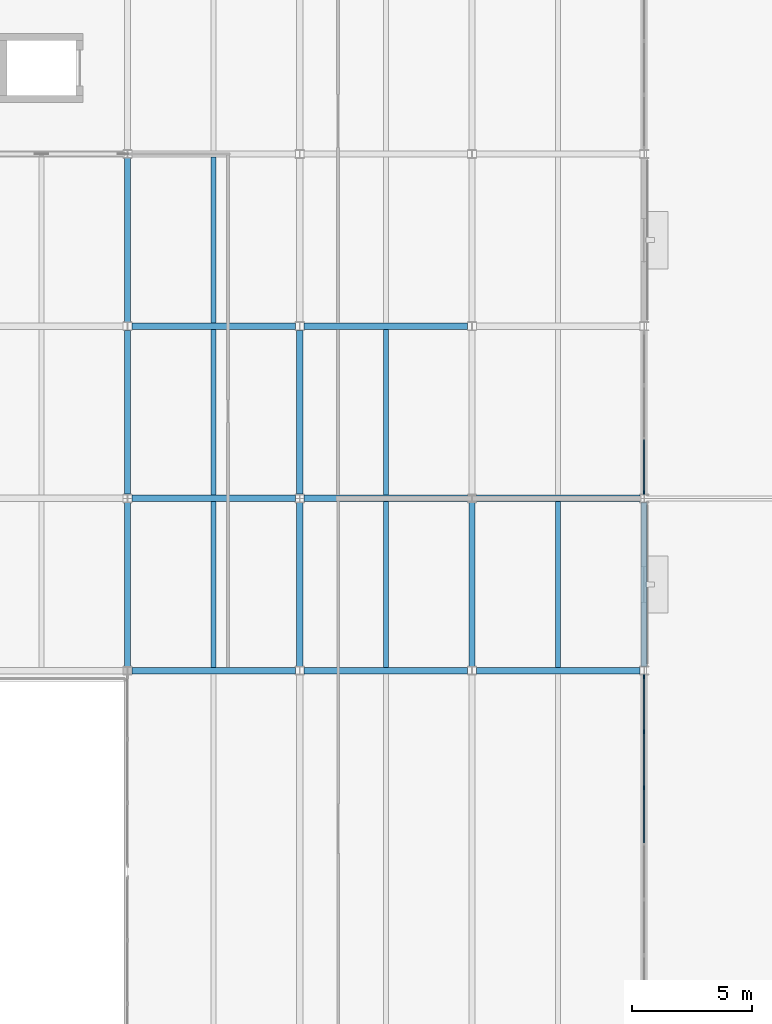
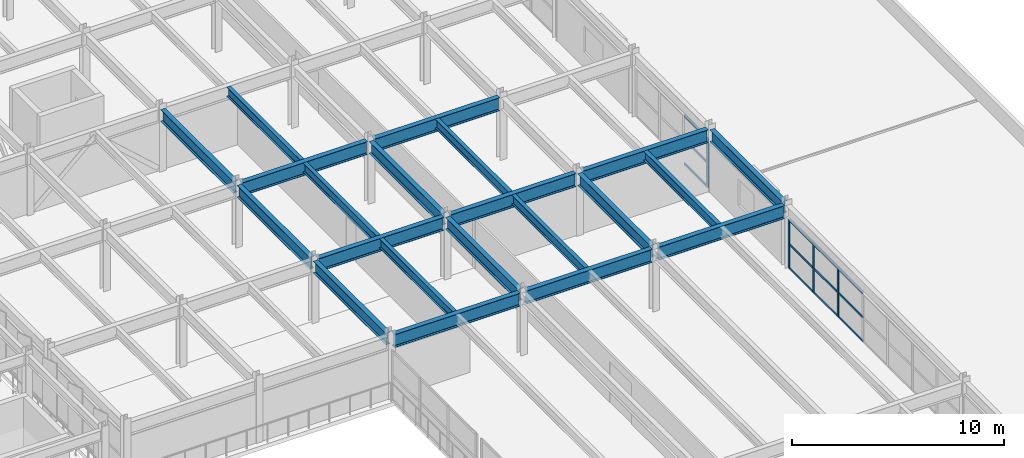
# One storey, part 33 of 80: 21 beams, 16 members, 2 elements without a shape of their own.
"""IFC4 building model written with IfcOpenShell, lengths in metres."""

from ifc_helpers import new_model, si_unit, direction, frame, origin, origin_2d, place, context, subcontext, project, spatial, rectangle, i_section, extrude, material, material_profile, profile_set, type_object, element, aggregate, save


model = new_model("IFC4")

# Units and contexts
model_context = context("Model", 3, precision=1e-05, world=origin(), true_north=direction((0.0, 1.0)))
body_context = subcontext(model_context, "Body", "Model", "MODEL_VIEW")
ifc_project = project(units=[si_unit("LENGTHUNIT", "METRE"), si_unit("AREAUNIT", "SQUARE_METRE"), si_unit("VOLUMEUNIT", "CUBIC_METRE"), si_unit("PLANEANGLEUNIT", "RADIAN"), si_unit("MASSUNIT", "GRAM", prefix="KILO")], contexts=[model_context])

# Site, building, storey
site_placement = place(None, origin())
site = spatial("IfcSite", under=ifc_project, at=site_placement, CompositionType="ELEMENT")
building_placement = place(site_placement, origin())
building = spatial("IfcBuilding", under=site, at=building_placement, Name="Vaelcorin Mobility Hub", CompositionType="ELEMENT")
storey_placement = place(building_placement, frame((0.0, 0.0, 9.300048828125)))
storey = spatial("IfcBuildingStorey", under=building, at=storey_placement, Name="L02", CompositionType="ELEMENT", Elevation=9.300048828125)

# Beams
ifc_material_1 = material(Name="Steel ASTM A992 Grade 50", Category="steel")
ifc_material_profile_1 = material_profile(ifc_material_1, i_section(OverallWidth=0.2099609375, OverallDepth=0.532958984375, WebThickness=0.01025390625, FlangeThickness=0.015625, FilletRadius=0.013916015625, at=origin_2d()), Name="W21X62")
ifc_profile_set_1 = profile_set([ifc_material_profile_1], Name="Steel ASTM A992 Grade 50")
beam_type_1 = type_object("IfcBeamType", Name="BM-W21X62", PredefinedType="JOIST", material=ifc_profile_set_1)
for number, where, z_axis, x_axis, name in (
    (1, (171.60009765625, 76.931884765625, 3.333984375), (0.0, 1.0, 0.0), (-1.0, 0.0, 0.0), "L02 Beam V5-L02-J-03-09-1"),
    (2, (171.60009765625, 84.132080078125, 3.333984375), (0.0, 1.0, 0.0), (-1.0, 0.0, 0.0), "L02 Beam V5-L02-J-03-10-1"),
    (3, (171.60009765625, 91.33203125, 3.333984375), (0.0, 1.0, 0.0), (-1.0, 0.0, 0.0), "L02 Beam V5-L02-J-03-11-1"),
    (4, (178.800048828125, 76.931884765625, 3.333984375), (0.0, 1.0, 0.0), (-1.0, 0.0, 0.0), "L02 Beam V5-L02-J-04-09-1"),
    (5, (178.800048828125, 84.132080078125, 3.333984375), (0.0, 1.0, 0.0), (-1.0, 0.0, 0.0), "L02 Beam V5-L02-J-04-10-1"),
    (6, (186.0, 76.931884765625, 3.333984375), (0.0, 1.0, 0.0), (-1.0, 0.0, 0.0), "L02 Beam V5-L02-J-05-09-1"),
):
    element("IfcBeam", number, at=place(storey_placement, frame(where, z_axis=z_axis, x_axis=x_axis)), inside=storey, type_object=beam_type_1, Name=name, PredefinedType="JOIST", context=body_context, shape_type="SweptSolid", body=[
        extrude(i_section(OverallWidth=0.2099609375, OverallDepth=0.532958984375, WebThickness=0.01025390625, FlangeThickness=0.015625, FilletRadius=0.013916015625, at=origin_2d()), origin(), (0.0, 0.0, 1.0), 6.93603515625),
    ])
ifc_material_profile_2 = material_profile(ifc_material_1, i_section(OverallWidth=0.25390625, OverallDepth=0.68310546875, WebThickness=0.012451171875, FlangeThickness=0.018798828125, FilletRadius=0.01611328125, at=origin_2d()), Name="W27X94")
ifc_profile_set_2 = profile_set([ifc_material_profile_2], Name="Steel ASTM A992 Grade 50")
beam_type_2 = type_object("IfcBeamType", Name="BM-W27X94", PredefinedType="BEAM", material=ifc_profile_set_2)
for number, where, z_axis, x_axis, name in (
    (7, (168.0, 76.97607421875, 3.258056640625), (0.0, 1.0, 0.0), (-1.0, 0.0, 0.0), "L02 Beam V5-L02-GY-03-09"),
    (8, (168.0, 84.176025390625, 3.258056640625), (0.0, 1.0, 0.0), (-1.0, 0.0, 0.0), "L02 Beam V5-L02-GY-03-10"),
):
    element("IfcBeam", number, at=place(storey_placement, frame(where, z_axis=z_axis, x_axis=x_axis)), inside=storey, type_object=beam_type_2, Name=name, PredefinedType="BEAM", context=body_context, shape_type="SweptSolid", body=[
        extrude(i_section(OverallWidth=0.25390625, OverallDepth=0.68310546875, WebThickness=0.012451171875, FlangeThickness=0.018798828125, FilletRadius=0.01611328125, at=origin_2d()), origin(), (0.0, 0.0, 1.0), 6.847900390625),
    ])
beam_1_placement = place(storey_placement, frame((168.0, 91.3759765625, 3.258056640625), z_axis=(0.0, 1.0, 0.0), x_axis=(-1.0, 0.0, 0.0)))
element("IfcBeam", 9, at=beam_1_placement, inside=storey, type_object=beam_type_2, Name="L02 Beam V5-L02-GY-03-11", PredefinedType="BEAM", context=body_context, shape_type="SweptSolid", body=[
    extrude(i_section(OverallWidth=0.25390625, OverallDepth=0.68310546875, WebThickness=0.012451171875, FlangeThickness=0.018798828125, FilletRadius=0.01611328125, at=origin_2d()), origin(), (0.0, 0.0, 1.0), 6.84814453125),
])
for number, where, z_axis, x_axis, name in (
    (10, (175.199951171875, 76.97607421875, 3.258056640625), (0.0, 1.0, 0.0), (-1.0, 0.0, 0.0), "L02 Beam V5-L02-GY-04-09"),
    (11, (175.199951171875, 84.176025390625, 3.258056640625), (0.0, 1.0, 0.0), (-1.0, 0.0, 0.0), "L02 Beam V5-L02-GY-04-10"),
    (12, (182.39990234375, 76.97607421875, 3.258056640625), (0.0, 1.0, 0.0), (-1.0, 0.0, 0.0), "L02 Beam V5-L02-GY-05-09"),
    (13, (189.60009765625, 76.97607421875, 3.258056640625), (0.0, 1.0, 0.0), (-1.0, 0.0, 0.0), "L02 Beam V5-L02-GY-06-09"),
):
    element("IfcBeam", number, at=place(storey_placement, frame(where, z_axis=z_axis, x_axis=x_axis)), inside=storey, type_object=beam_type_2, Name=name, PredefinedType="BEAM", context=body_context, shape_type="SweptSolid", body=[
        extrude(i_section(OverallWidth=0.25390625, OverallDepth=0.68310546875, WebThickness=0.012451171875, FlangeThickness=0.018798828125, FilletRadius=0.01611328125, at=origin_2d()), origin(), (0.0, 0.0, 1.0), 6.847900390625),
    ])
ifc_material_profile_3 = material_profile(ifc_material_1, i_section(OverallWidth=0.26708984375, OverallDepth=0.757080078125, WebThickness=0.013916015625, FlangeThickness=0.019287109375, FilletRadius=0.01708984375, at=origin_2d()), Name="W30X108")
ifc_profile_set_3 = profile_set([ifc_material_profile_3], Name="Steel ASTM A992 Grade 50")
beam_type_3 = type_object("IfcBeamType", Name="BM-W30X108", PredefinedType="BEAM", material=ifc_profile_set_3)
beam_2_placement = place(storey_placement, frame((168.181884765625, 76.800048828125, 3.221923828125), z_axis=(1.0, 0.0, 0.0), x_axis=(0.0, 1.0, 0.0)))
element("IfcBeam", 14, at=beam_2_placement, inside=storey, type_object=beam_type_3, Name="L02 Beam V5-L02-GX-09-03", PredefinedType="BEAM", context=body_context, shape_type="SweptSolid", body=[
    extrude(i_section(OverallWidth=0.26708984375, OverallDepth=0.757080078125, WebThickness=0.013916015625, FlangeThickness=0.019287109375, FilletRadius=0.01708984375, at=origin_2d()), origin(), (0.0, 0.0, 1.0), 6.836181640625),
])
for number, where, z_axis, x_axis, name in (
    (15, (175.382080078125, 76.800048828125, 3.221923828125), (1.0, 0.0, 0.0), (0.0, 1.0, 0.0), "L02 Beam V5-L02-GX-09-04"),
    (16, (182.58203125, 76.800048828125, 3.221923828125), (1.0, 0.0, 0.0), (0.0, 1.0, 0.0), "L02 Beam V5-L02-GX-09-05"),
):
    element("IfcBeam", number, at=place(storey_placement, frame(where, z_axis=z_axis, x_axis=x_axis)), inside=storey, type_object=beam_type_3, Name=name, PredefinedType="BEAM", context=body_context, shape_type="SweptSolid", body=[
        extrude(i_section(OverallWidth=0.26708984375, OverallDepth=0.757080078125, WebThickness=0.013916015625, FlangeThickness=0.019287109375, FilletRadius=0.01708984375, at=origin_2d()), origin(), (0.0, 0.0, 1.0), 6.8359375),
    ])
beam_3_placement = place(storey_placement, frame((168.181884765625, 84.0, 3.221923828125), z_axis=(1.0, 0.0, 0.0), x_axis=(0.0, 1.0, 0.0)))
element("IfcBeam", 17, at=beam_3_placement, inside=storey, type_object=beam_type_3, Name="L02 Beam V5-L02-GX-10-03", PredefinedType="BEAM", context=body_context, shape_type="SweptSolid", body=[
    extrude(i_section(OverallWidth=0.26708984375, OverallDepth=0.757080078125, WebThickness=0.013916015625, FlangeThickness=0.019287109375, FilletRadius=0.01708984375, at=origin_2d()), origin(), (0.0, 0.0, 1.0), 6.836181640625),
])
for number, where, z_axis, x_axis, name in (
    (18, (175.382080078125, 84.0, 3.221923828125), (1.0, 0.0, 0.0), (0.0, 1.0, 0.0), "L02 Beam V5-L02-GX-10-04"),
    (19, (182.58203125, 84.0, 3.221923828125), (1.0, 0.0, 0.0), (0.0, 1.0, 0.0), "L02 Beam V5-L02-GX-10-05"),
):
    element("IfcBeam", number, at=place(storey_placement, frame(where, z_axis=z_axis, x_axis=x_axis)), inside=storey, type_object=beam_type_3, Name=name, PredefinedType="BEAM", context=body_context, shape_type="SweptSolid", body=[
        extrude(i_section(OverallWidth=0.26708984375, OverallDepth=0.757080078125, WebThickness=0.013916015625, FlangeThickness=0.019287109375, FilletRadius=0.01708984375, at=origin_2d()), origin(), (0.0, 0.0, 1.0), 6.8359375),
    ])
beam_4_placement = place(storey_placement, frame((168.181884765625, 91.199951171875, 3.221923828125), z_axis=(1.0, 0.0, 0.0), x_axis=(0.0, 1.0, 0.0)))
element("IfcBeam", 20, at=beam_4_placement, inside=storey, type_object=beam_type_3, Name="L02 Beam V5-L02-GX-11-03", PredefinedType="BEAM", context=body_context, shape_type="SweptSolid", body=[
    extrude(i_section(OverallWidth=0.26708984375, OverallDepth=0.757080078125, WebThickness=0.013916015625, FlangeThickness=0.019287109375, FilletRadius=0.01708984375, at=origin_2d()), origin(), (0.0, 0.0, 1.0), 6.836181640625),
])
beam_5_placement = place(storey_placement, frame((175.382080078125, 91.199951171875, 3.221923828125), z_axis=(1.0, 0.0, 0.0), x_axis=(0.0, 1.0, 0.0)))
element("IfcBeam", 21, at=beam_5_placement, inside=storey, type_object=beam_type_3, Name="L02 Beam V5-L02-GX-11-04", PredefinedType="BEAM", context=body_context, shape_type="SweptSolid", body=[
    extrude(i_section(OverallWidth=0.26708984375, OverallDepth=0.757080078125, WebThickness=0.013916015625, FlangeThickness=0.019287109375, FilletRadius=0.01708984375, at=origin_2d()), origin(), (0.0, 0.0, 1.0), 6.8359375),
])

# Curtain wall, members
ifc_material_2 = material(Name="Anodised aluminium 6063-T6", Category="aluminium")
curtain_wall_type = type_object("IfcCurtainWallType", Name="CW-MOB-A", PredefinedType="NOTDEFINED", material=ifc_material_2)
curtain_wall_1_placement = place(storey_placement, origin())
curtain_wall_1 = element("IfcCurtainWall", 22, at=curtain_wall_1_placement, inside=storey, type_object=curtain_wall_type, Name="L02 Curtain Wall CW-V5-L02-E-08", PredefinedType="NOTDEFINED")
ifc_material_profile_4 = material_profile(ifc_material_2, rectangle(XDim=0.06005859375, YDim=0.159912109375, at=origin_2d()), Name="ALU-M60X160")
ifc_profile_set_4 = profile_set([ifc_material_profile_4], Name="Anodised aluminium 6063-T6")
member_type_1 = type_object("IfcMemberType", Name="CW-MULL-160", PredefinedType="MULLION", material=ifc_profile_set_4)
member_1_placement = place(storey_placement, frame((189.60009765625, 76.550048828125, 0.0), z_axis=(0.0, 0.0, 1.0), x_axis=(1.0, 0.0, 0.0)))
member_1 = element("IfcMember", 23, at=member_1_placement, type_object=member_type_1, Name="CW7 mullion 1", PredefinedType="MULLION", context=body_context, shape_type="SweptSolid", body=[
    extrude(rectangle(XDim=0.06005859375, YDim=0.159912109375, at=origin_2d()), origin(), (0.0, 0.0, 1.0), 2.827880859375),
])
member_2_placement = place(storey_placement, frame((189.60009765625, 74.242919921875, 0.0), z_axis=(0.0, 0.0, 1.0), x_axis=(1.0, 0.0, 0.0)))
member_2 = element("IfcMember", 24, at=member_2_placement, type_object=member_type_1, Name="CW7 mullion 2", PredefinedType="MULLION", context=body_context, shape_type="SweptSolid", body=[
    extrude(rectangle(XDim=0.06005859375, YDim=0.159912109375, at=origin_2d()), origin(), (0.0, 0.0, 1.0), 2.827880859375),
])
member_3_placement = place(storey_placement, frame((189.60009765625, 71.90576171875, 0.0), z_axis=(0.0, 0.0, 1.0), x_axis=(1.0, 0.0, 0.0)))
member_3 = element("IfcMember", 25, at=member_3_placement, type_object=member_type_1, Name="CW7 mullion 3", PredefinedType="MULLION", context=body_context, shape_type="SweptSolid", body=[
    extrude(rectangle(XDim=0.06005859375, YDim=0.159912109375, at=origin_2d()), origin(), (0.0, 0.0, 1.0), 2.827880859375),
])

# Curtain wall, member
curtain_wall_2_placement = place(storey_placement, origin())
curtain_wall_2 = element("IfcCurtainWall", 26, at=curtain_wall_2_placement, inside=storey, type_object=curtain_wall_type, Name="L02 Curtain Wall CW-V5-L02-E-10", PredefinedType="NOTDEFINED")
member_4_placement = place(storey_placement, frame((189.60009765625, 84.25, 0.0), z_axis=(0.0, 0.0, 1.0), x_axis=(1.0, 0.0, 0.0)))
member_4 = element("IfcMember", 27, at=member_4_placement, type_object=member_type_1, Name="CW7 mullion 4", PredefinedType="MULLION", context=body_context, shape_type="SweptSolid", body=[
    extrude(rectangle(XDim=0.06005859375, YDim=0.159912109375, at=origin_2d()), origin(), (0.0, 0.0, 1.0), 2.827880859375),
])

# Member
ifc_material_profile_5 = material_profile(ifc_material_2, rectangle(XDim=0.06005859375, YDim=0.1201171875, at=origin_2d()), Name="ALU-T60X120")
ifc_profile_set_5 = profile_set([ifc_material_profile_5], Name="Anodised aluminium 6063-T6")
member_type_2 = type_object("IfcMemberType", Name="CW-TRAN-140", PredefinedType="USERDEFINED", material=ifc_profile_set_5)
member_5_placement = place(storey_placement, frame((189.60009765625, 76.52001953125, 0.030029296875), z_axis=(0.0, -1.0, 0.0), x_axis=(1.0, 0.0, 0.0)))
member_5 = element("IfcMember", 28, at=member_5_placement, type_object=member_type_2, Name="CW7 transom 1.1", ObjectType="TRANSOM", PredefinedType="USERDEFINED", context=body_context, shape_type="SweptSolid", body=[
    extrude(rectangle(XDim=0.06005859375, YDim=0.1201171875, at=origin_2d()), origin(), (0.0, 0.0, 1.0), 2.2470703125),
])

member_6_placement = place(storey_placement, frame((189.60009765625, 76.52001953125, 1.4140625), z_axis=(0.0, -1.0, 0.0), x_axis=(1.0, 0.0, 0.0)))
member_6 = element("IfcMember", 29, at=member_6_placement, type_object=member_type_2, Name="CW7 transom 1.2", ObjectType="TRANSOM", PredefinedType="USERDEFINED", context=body_context, shape_type="SweptSolid", body=[
    extrude(rectangle(XDim=0.06005859375, YDim=0.1201171875, at=origin_2d()), origin(), (0.0, 0.0, 1.0), 2.2470703125),
])

member_7_placement = place(storey_placement, frame((189.60009765625, 76.52001953125, 2.7978515625), z_axis=(0.0, -1.0, 0.0), x_axis=(1.0, 0.0, 0.0)))
member_7 = element("IfcMember", 30, at=member_7_placement, type_object=member_type_2, Name="CW7 transom 1.3", ObjectType="TRANSOM", PredefinedType="USERDEFINED", context=body_context, shape_type="SweptSolid", body=[
    extrude(rectangle(XDim=0.06005859375, YDim=0.1201171875, at=origin_2d()), origin(), (0.0, 0.0, 1.0), 2.2470703125),
])

member_8_placement = place(storey_placement, frame((189.60009765625, 74.212890625, 0.030029296875), z_axis=(0.0, -1.0, 0.0), x_axis=(1.0, 0.0, 0.0)))
member_8 = element("IfcMember", 31, at=member_8_placement, type_object=member_type_2, Name="CW7 transom 2.1", ObjectType="TRANSOM", PredefinedType="USERDEFINED", context=body_context, shape_type="SweptSolid", body=[
    extrude(rectangle(XDim=0.06005859375, YDim=0.1201171875, at=origin_2d()), origin(), (0.0, 0.0, 1.0), 2.277099609375),
])

member_9_placement = place(storey_placement, frame((189.60009765625, 74.212890625, 1.4140625), z_axis=(0.0, -1.0, 0.0), x_axis=(1.0, 0.0, 0.0)))
member_9 = element("IfcMember", 32, at=member_9_placement, type_object=member_type_2, Name="CW7 transom 2.2", ObjectType="TRANSOM", PredefinedType="USERDEFINED", context=body_context, shape_type="SweptSolid", body=[
    extrude(rectangle(XDim=0.06005859375, YDim=0.1201171875, at=origin_2d()), origin(), (0.0, 0.0, 1.0), 2.277099609375),
])

member_10_placement = place(storey_placement, frame((189.60009765625, 74.212890625, 2.7978515625), z_axis=(0.0, -1.0, 0.0), x_axis=(1.0, 0.0, 0.0)))
member_10 = element("IfcMember", 33, at=member_10_placement, type_object=member_type_2, Name="CW7 transom 2.3", ObjectType="TRANSOM", PredefinedType="USERDEFINED", context=body_context, shape_type="SweptSolid", body=[
    extrude(rectangle(XDim=0.06005859375, YDim=0.1201171875, at=origin_2d()), origin(), (0.0, 0.0, 1.0), 2.277099609375),
])

member_11_placement = place(storey_placement, frame((189.60009765625, 71.875732421875, 0.030029296875), z_axis=(0.0, -1.0, 0.0), x_axis=(1.0, 0.0, 0.0)))
member_11 = element("IfcMember", 34, at=member_11_placement, type_object=member_type_2, Name="CW7 transom 3.1", ObjectType="TRANSOM", PredefinedType="USERDEFINED", context=body_context, shape_type="SweptSolid", body=[
    extrude(rectangle(XDim=0.06005859375, YDim=0.1201171875, at=origin_2d()), origin(), (0.0, 0.0, 1.0), 2.277099609375),
])

member_12_placement = place(storey_placement, frame((189.60009765625, 71.875732421875, 1.4140625), z_axis=(0.0, -1.0, 0.0), x_axis=(1.0, 0.0, 0.0)))
member_12 = element("IfcMember", 35, at=member_12_placement, type_object=member_type_2, Name="CW7 transom 3.2", ObjectType="TRANSOM", PredefinedType="USERDEFINED", context=body_context, shape_type="SweptSolid", body=[
    extrude(rectangle(XDim=0.06005859375, YDim=0.1201171875, at=origin_2d()), origin(), (0.0, 0.0, 1.0), 2.277099609375),
])

member_13_placement = place(storey_placement, frame((189.60009765625, 71.875732421875, 2.7978515625), z_axis=(0.0, -1.0, 0.0), x_axis=(1.0, 0.0, 0.0)))
member_13 = element("IfcMember", 36, at=member_13_placement, type_object=member_type_2, Name="CW7 transom 3.3", ObjectType="TRANSOM", PredefinedType="USERDEFINED", context=body_context, shape_type="SweptSolid", body=[
    extrude(rectangle(XDim=0.06005859375, YDim=0.1201171875, at=origin_2d()), origin(), (0.0, 0.0, 1.0), 2.277099609375),
])

aggregate(curtain_wall_1, [member_1, member_2, member_3, member_5, member_6, member_7, member_8, member_9, member_10, member_11, member_12, member_13])

member_14_placement = place(storey_placement, frame((189.60009765625, 86.443359375, 0.030029296875), z_axis=(0.0, -1.0, 0.0), x_axis=(1.0, 0.0, 0.0)))
member_14 = element("IfcMember", 37, at=member_14_placement, type_object=member_type_2, Name="CW7 transom 3.1", ObjectType="TRANSOM", PredefinedType="USERDEFINED", context=body_context, shape_type="SweptSolid", body=[
    extrude(rectangle(XDim=0.06005859375, YDim=0.1201171875, at=origin_2d()), origin(), (0.0, 0.0, 1.0), 2.163330078125),
])

member_15_placement = place(storey_placement, frame((189.60009765625, 86.443359375, 1.4140625), z_axis=(0.0, -1.0, 0.0), x_axis=(1.0, 0.0, 0.0)))
member_15 = element("IfcMember", 38, at=member_15_placement, type_object=member_type_2, Name="CW7 transom 3.2", ObjectType="TRANSOM", PredefinedType="USERDEFINED", context=body_context, shape_type="SweptSolid", body=[
    extrude(rectangle(XDim=0.06005859375, YDim=0.1201171875, at=origin_2d()), origin(), (0.0, 0.0, 1.0), 2.163330078125),
])

member_16_placement = place(storey_placement, frame((189.60009765625, 86.443359375, 2.7978515625), z_axis=(0.0, -1.0, 0.0), x_axis=(1.0, 0.0, 0.0)))
member_16 = element("IfcMember", 39, at=member_16_placement, type_object=member_type_2, Name="CW7 transom 3.3", ObjectType="TRANSOM", PredefinedType="USERDEFINED", context=body_context, shape_type="SweptSolid", body=[
    extrude(rectangle(XDim=0.06005859375, YDim=0.1201171875, at=origin_2d()), origin(), (0.0, 0.0, 1.0), 2.163330078125),
])

aggregate(curtain_wall_2, [member_4, member_14, member_15, member_16])

save(model, "model.ifc")
